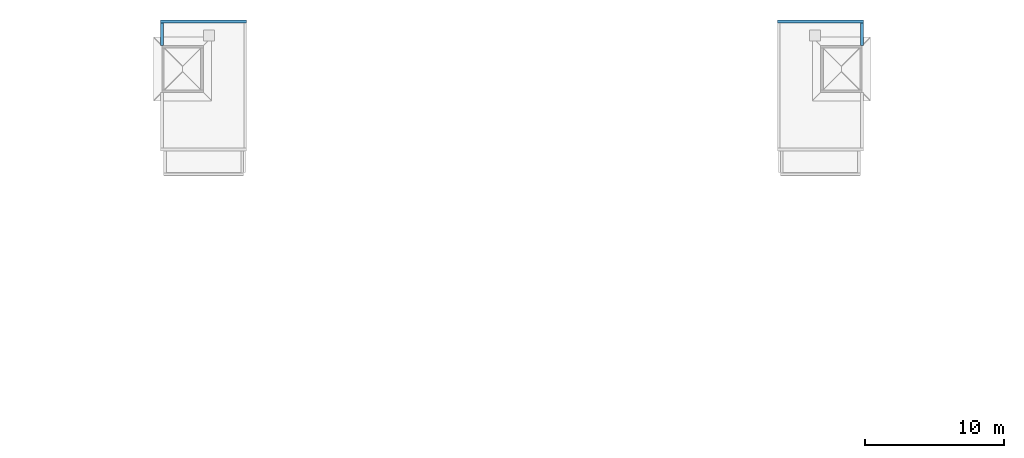
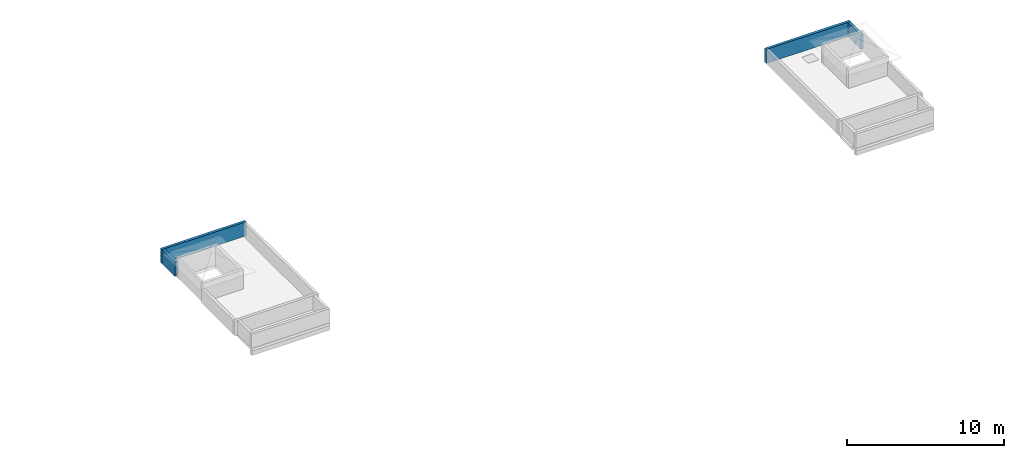
# One storey, part 26 of 41: 4 walls.
"""IFC4 building model written with IfcOpenShell, lengths in metres."""

from ifc_helpers import new_model, si_unit, direction, frame, frame_2d, origin, place, context, subcontext, project, spatial, rectangle, extrude, material, layer, layer_set, type_object, element, save


model = new_model("IFC4")

# Units and contexts
model_context = context("Model", 3, precision=1e-05, world=origin(), true_north=direction((0.0, 1.0)))
body_context = subcontext(model_context, "Body", "Model", "MODEL_VIEW")
ifc_project = project(units=[si_unit("LENGTHUNIT", "METRE"), si_unit("AREAUNIT", "SQUARE_METRE"), si_unit("VOLUMEUNIT", "CUBIC_METRE"), si_unit("PLANEANGLEUNIT", "RADIAN"), si_unit("MASSUNIT", "GRAM", prefix="KILO")], contexts=[model_context])

# Site, building, storey
site_placement = place(None, origin())
site = spatial("IfcSite", under=ifc_project, at=site_placement, CompositionType="ELEMENT")
building_placement = place(site_placement, origin())
building = spatial("IfcBuilding", under=site, at=building_placement, Name="Ridgestep Commons", CompositionType="ELEMENT")
storey_placement = place(building_placement, frame((0.0, 0.0, 39.0)))
storey = spatial("IfcBuildingStorey", under=building, at=storey_placement, Name="L13", CompositionType="ELEMENT", Elevation=39.0)

# Walls
ifc_material = material(Name="Precast concrete C40/50", Category="concrete")
ifc_layer = layer(ifc_material, 0.199951171875)
ifc_layer_set = layer_set([ifc_layer], Name="Parapet wall 200")
wall_type = type_object("IfcWallType", Name="Parapet wall 200", PredefinedType="PARAPET", material=ifc_layer_set)
wall_1_placement = place(storey_placement, frame((180.300048828125, 77.125, 0.0), z_axis=(0.0, 0.0, 1.0), x_axis=(1.0, 0.0, 0.0)))
element("IfcWall", 1, at=wall_1_placement, inside=storey, type_object=wall_type, Name="Parapet C3C north", PredefinedType="PARAPET", context=body_context, shape_type="SweptSolid", body=[
    extrude(rectangle(XDim=6.199951171875, YDim=0.199951171875, at=frame_2d((3.10009765625, 0.0))), origin(), (0.0, 0.0, 1.0), 1.10009765625),
])
wall_2_placement = place(storey_placement, frame((180.39990234375, 75.39990234375, 0.0), z_axis=(0.0, 0.0, 1.0), x_axis=(0.0, 1.0, 0.0)))
element("IfcWall", 2, at=wall_2_placement, inside=storey, type_object=wall_type, Name="Parapet C3C west", PredefinedType="PARAPET", context=body_context, shape_type="SweptSolid", body=[
    extrude(rectangle(XDim=1.625, YDim=0.199951171875, at=frame_2d((0.8125, 0.0))), origin(), (0.0, 0.0, 1.0), 1.10009765625),
])
wall_3_placement = place(storey_placement, frame((224.699951171875, 77.125, 0.0), z_axis=(0.0, 0.0, 1.0), x_axis=(1.0, 0.0, 0.0)))
element("IfcWall", 3, at=wall_3_placement, inside=storey, type_object=wall_type, Name="Parapet C5C north", PredefinedType="PARAPET", context=body_context, shape_type="SweptSolid", body=[
    extrude(rectangle(XDim=6.199951171875, YDim=0.199951171875, at=frame_2d((3.10009765625, 0.0))), origin(), (0.0, 0.0, 1.0), 1.10009765625),
])
wall_4_placement = place(storey_placement, frame((230.800048828125, 75.39990234375, 0.0), z_axis=(0.0, 0.0, 1.0), x_axis=(0.0, 1.0, 0.0)))
element("IfcWall", 4, at=wall_4_placement, inside=storey, type_object=wall_type, Name="Parapet C5C east", PredefinedType="PARAPET", context=body_context, shape_type="SweptSolid", body=[
    extrude(rectangle(XDim=1.625, YDim=0.199951171875, at=frame_2d((0.8125, 0.0))), origin(), (0.0, 0.0, 1.0), 1.10009765625),
])

save(model, "model.ifc")
